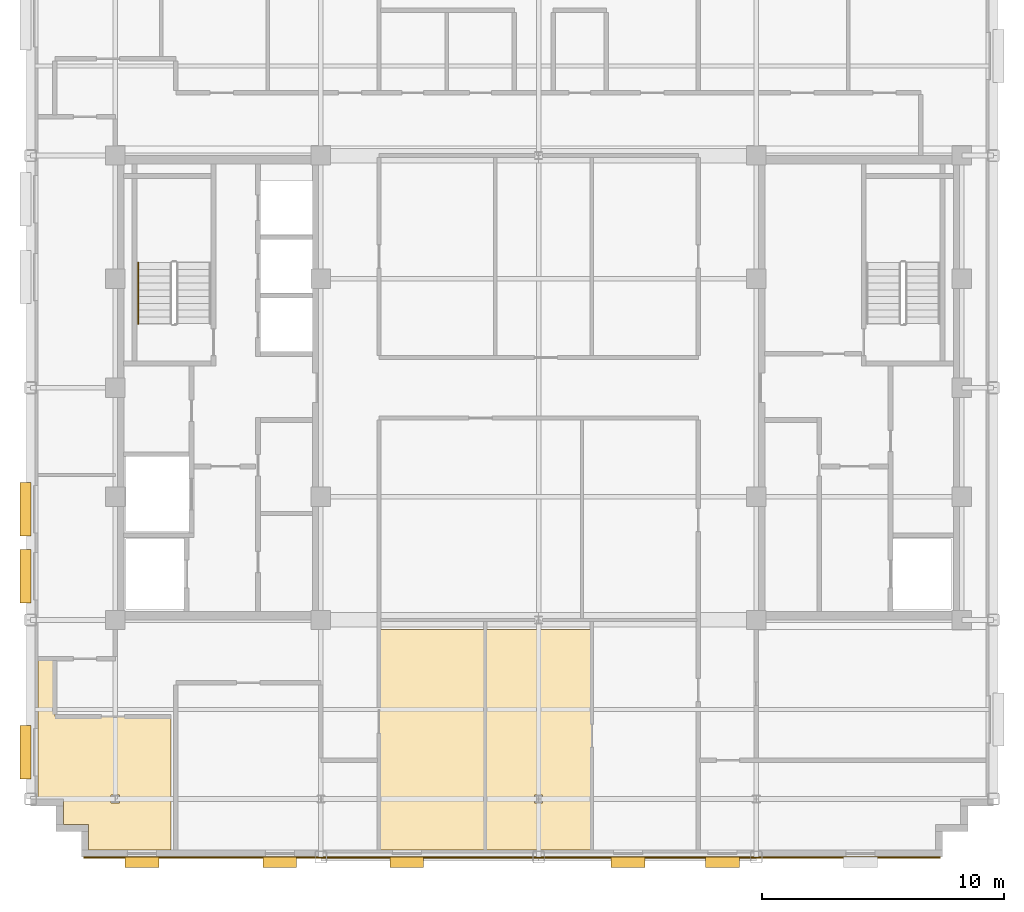
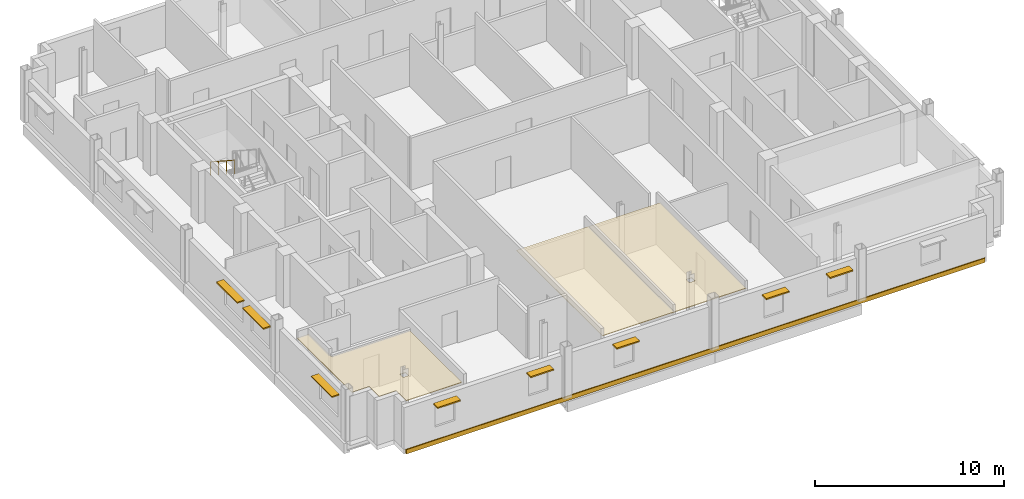
# One storey, part 10 of 14: 8 shading devices, 4 coverings, 1 railing.
"""IFC4 building model written with IfcOpenShell, lengths in metres."""

import ifcopenshell
import ifcopenshell.guid

model = None  # the IFC model being written
_history = None  # IfcOwnerHistory: only IFC2X3 demands one
_inside = {}  # id of a spatial element -> (the spatial element, [elements in it])
_under = {}  # id of a project, library or spatial element -> (it, [spatial elements below it])
_declared = {}  # id of a project -> (the project, [libraries it declares])
_typed = {}  # id of a type object -> (the type object, [elements of that type])
_made_of = {}  # id of a material, layer set ... -> (it, [elements and type objects made of it])


def new_model(schema):
    """Start an empty IFC model of exactly this schema.

    Asked for "IFC4X3", IfcOpenShell would pick the latest addendum, in which some entities
    have other attributes; the version numbers below select the first issue.
    IFC2X3 requires an IfcOwnerHistory on every rooted entity: one is made here for all.
    """
    global model, _history
    if schema == "IFC4X3":
        model = ifcopenshell.file(schema_version=(4, 3, 0, 0))
    else:
        model = ifcopenshell.file(schema=schema)
    _inside.clear()
    _under.clear()
    _declared.clear()
    _typed.clear()
    _made_of.clear()
    _history = None
    if model.schema == "IFC2X3":
        org = make("IfcOrganization", Name="unknown")
        user = make(
            "IfcPersonAndOrganization",
            ThePerson=make("IfcPerson", FamilyName="unknown"),
            TheOrganization=org,
        )
        app = make(
            "IfcApplication",
            ApplicationDeveloper=org,
            Version="unknown",
            ApplicationFullName="unknown",
            ApplicationIdentifier="unknown",
        )
        _history = make(
            "IfcOwnerHistory",
            OwningUser=user,
            OwningApplication=app,
            ChangeAction="ADDED",
            CreationDate=0,
        )
    return model


def make(cls, **values):
    """One entity of the class cls with the attributes given. An attribute that is None is left unset."""
    return model.create_entity(
        cls, **{name: value for name, value in values.items() if value is not None}
    )


def rooted(cls, **values):
    """An entity with a GlobalId (a new one), such as an element, a storey or a relation."""
    return make(cls, GlobalId=ifcopenshell.guid.new(), OwnerHistory=_history, **values)


def si_unit(unit_type, name, prefix=None):
    """IfcSIUnit, for example si_unit("LENGTHUNIT", "METRE", prefix="MILLI")."""
    return make("IfcSIUnit", UnitType=unit_type, Prefix=prefix, Name=name)


def assignment(units):
    """IfcUnitAssignment: the units of a project."""
    return None if units is None else make("IfcUnitAssignment", Units=units)


def point(xyz):
    """IfcCartesianPoint."""
    return None if xyz is None else make("IfcCartesianPoint", Coordinates=xyz)


def direction(xyz):
    """IfcDirection."""
    return None if xyz is None else make("IfcDirection", DirectionRatios=xyz)


def frame(location, z_axis=None, x_axis=None):
    """IfcAxis2Placement3D, a coordinate frame: its origin and axes. An axis left out is left unset."""
    return make(
        "IfcAxis2Placement3D",
        Location=point(location),
        Axis=direction(z_axis),
        RefDirection=direction(x_axis),
    )


def frame_2d(location, x_axis=None):
    """IfcAxis2Placement2D, a coordinate frame in the plane: its origin and x axis."""
    return make(
        "IfcAxis2Placement2D", Location=point(location), RefDirection=direction(x_axis)
    )


def origin():
    """The frame at (0, 0, 0) with its axes left unset."""
    return frame((0.0, 0.0, 0.0))


def origin_2d():
    """The frame at (0, 0) in the plane with its x axis left unset."""
    return frame_2d((0.0, 0.0))


def place(relative_to, where):
    """IfcLocalPlacement: puts the frame where relative to a parent placement (None: the world)."""
    return make(
        "IfcLocalPlacement", PlacementRelTo=relative_to, RelativePlacement=where
    )


def context(
    kind, dimensions, precision=None, world=None, true_north=None, identifier=None
):
    """IfcGeometricRepresentationContext, for example the 3D "Model" context."""
    return make(
        "IfcGeometricRepresentationContext",
        ContextIdentifier=identifier,
        ContextType=kind,
        CoordinateSpaceDimension=dimensions,
        Precision=precision,
        WorldCoordinateSystem=world,
        TrueNorth=true_north,
    )


def subcontext(parent, identifier, kind, view, scale=None):
    """IfcGeometricRepresentationSubContext, for example "Body" below "Model"."""
    return make(
        "IfcGeometricRepresentationSubContext",
        ContextIdentifier=identifier,
        ContextType=kind,
        ParentContext=parent,
        TargetScale=scale,
        TargetView=view,
    )


def project(units=None, contexts=None):
    """IfcProject with its units and contexts."""
    return rooted(
        "IfcProject",
        Name="project",
        RepresentationContexts=contexts,
        UnitsInContext=assignment(units),
    )


def spatial(cls, under=None, at=None, **own):
    """A site, building, storey or space (cls), placed at a placement, below another one or the project."""
    s = rooted(cls, ObjectPlacement=at, **own)
    if under is not None:
        _under.setdefault(under.id(), (under, []))[1].append(s)
    return s


def polyline(points):
    """IfcPolyline through the points."""
    return make("IfcPolyline", Points=[point(p) for p in points])


def profile(cls, at=None, kind="AREA", **sizes):
    """A parametric profile (cls). Its sizes go by their IFC names, for example OverallWidth=200.0."""
    return make(cls, ProfileType=kind, Position=at, **sizes)


def rectangle(**sizes):
    """IfcRectangleProfileDef."""
    return profile("IfcRectangleProfileDef", **sizes)


def circle(**sizes):
    """IfcCircleProfileDef."""
    return profile("IfcCircleProfileDef", **sizes)


def outline(outer, holes=None, kind="AREA"):
    """IfcArbitraryClosedProfileDef: a profile drawn as a closed curve; with holes, ...WithVoids."""
    if holes is None:
        return make("IfcArbitraryClosedProfileDef", ProfileType=kind, OuterCurve=outer)
    return make(
        "IfcArbitraryProfileDefWithVoids",
        ProfileType=kind,
        OuterCurve=outer,
        InnerCurves=holes,
    )


def extrude(swept, where, along, depth):
    """IfcExtrudedAreaSolid: the profile swept, set in the frame where, extruded along a direction by depth."""
    return make(
        "IfcExtrudedAreaSolid",
        SweptArea=swept,
        Position=where,
        ExtrudedDirection=direction(along),
        Depth=depth,
    )


def shape(context_of_items, identifier, shape_type, items):
    """IfcShapeRepresentation: the items that make up one representation, for example the "Body"."""
    return make(
        "IfcShapeRepresentation",
        ContextOfItems=context_of_items,
        RepresentationIdentifier=identifier,
        RepresentationType=shape_type,
        Items=items,
    )


def source(mapping_origin, context_of_items, identifier, shape_type, items):
    """IfcRepresentationMap: a shape defined once, which mapped items show again and again."""
    return make(
        "IfcRepresentationMap",
        MappingOrigin=mapping_origin,
        MappedRepresentation=shape(context_of_items, identifier, shape_type, items),
    )


def transform(
    local_origin,
    x_axis=None,
    y_axis=None,
    z_axis=None,
    scale=None,
    scale2=None,
    scale3=None,
    uniform=True,
):
    """IfcCartesianTransformationOperator3D, or its non-uniform kind. x_axis, y_axis, z_axis: its Axis1, 2, 3."""
    if uniform:
        return make(
            "IfcCartesianTransformationOperator3D",
            Axis1=direction(x_axis),
            Axis2=direction(y_axis),
            LocalOrigin=point(local_origin),
            Scale=scale,
            Axis3=direction(z_axis),
        )
    return make(
        "IfcCartesianTransformationOperator3DnonUniform",
        Axis1=direction(x_axis),
        Axis2=direction(y_axis),
        LocalOrigin=point(local_origin),
        Scale=scale,
        Axis3=direction(z_axis),
        Scale2=scale2,
        Scale3=scale3,
    )


def mapped(mapping_source, mapping_target):
    """IfcMappedItem: shows the shape of a source again, moved by a transform."""
    return make(
        "IfcMappedItem", MappingSource=mapping_source, MappingTarget=mapping_target
    )


def material(Name=None, Category=None):
    """IfcMaterial."""
    return make("IfcMaterial", Name=Name, Category=Category)


def layer(
    of_material, thickness, ventilated=None, Name=None, Category=None, Priority=None
):
    """IfcMaterialLayer: one layer of a wall or slab, of a material (None: an air gap)."""
    return make(
        "IfcMaterialLayer",
        Material=of_material,
        LayerThickness=thickness,
        IsVentilated=ventilated,
        Name=Name,
        Category=Category,
        Priority=Priority,
    )


def layer_set(layers, Name=None):
    """IfcMaterialLayerSet."""
    return make("IfcMaterialLayerSet", MaterialLayers=layers, LayerSetName=Name)


def made_of(thing, what):
    """Note that an element or type object is made of a material, layer set ...; save() writes the relation."""
    if what is not None:
        _made_of.setdefault(what.id(), (what, []))[1].append(thing)
    return thing


def type_object(cls, material=None, **own):
    """A type object (cls), such as IfcWallType, which elements share."""
    return made_of(rooted(cls, **own), material)


def type_shapes(of_type, sources):
    """Give a type object the sources (RepresentationMaps) that its elements show as mapped items."""
    of_type.RepresentationMaps = sources


def element(
    cls,
    number,
    at=None,
    inside=None,
    cuts=None,
    type_object=None,
    material=None,
    context=None,
    identifier="Body",
    shape_type=None,
    held_by="IfcProductDefinitionShape",
    body=None,
    shapes=None,
    **own,
):
    """One element of the class cls, such as IfcWall. Its Tag is "e" and its number.

    at: its placement. inside: the storey or other place that contains it. cuts: it is an
    opening in that element (IfcRelVoidsElement). A single representation is given by context,
    identifier, shape_type and body (its items); several are given by shapes. held_by: the class
    of the entity that holds the representations. save() writes the other relations.
    """
    e = rooted(cls, Tag="e%d" % number, ObjectPlacement=at, **own)
    if body is not None:
        shapes = [shape(context, identifier, shape_type, body)]
    if shapes is not None:
        e.Representation = make(held_by, Representations=shapes)
    if inside is not None:
        _inside.setdefault(inside.id(), (inside, []))[1].append(e)
    if cuts is not None:
        rooted(
            "IfcRelVoidsElement", RelatingBuildingElement=cuts, RelatedOpeningElement=e
        )
    if type_object is not None:
        _typed.setdefault(type_object.id(), (type_object, []))[1].append(e)
    return made_of(e, material)


def aggregate(whole, parts):
    """IfcRelAggregates: a whole, such as a stair, and the parts it consists of."""
    return rooted("IfcRelAggregates", RelatingObject=whole, RelatedObjects=parts)


def save(model, path):
    """Write the relations noted so far, then the file.

    IfcRelAggregates (storeys below a building ...), IfcRelContainedInSpatialStructure (elements
    in a storey), IfcRelDefinesByType, IfcRelAssociatesMaterial and IfcRelDeclares: one each for
    every whole, place, type object, material and project.
    """
    for whole, parts in _under.values():
        aggregate(whole, parts)
    for where, things in _inside.values():
        rooted(
            "IfcRelContainedInSpatialStructure",
            RelatedElements=things,
            RelatingStructure=where,
        )
    for kind, things in _typed.values():
        rooted("IfcRelDefinesByType", RelatedObjects=things, RelatingType=kind)
    for what, things in _made_of.values():
        rooted("IfcRelAssociatesMaterial", RelatedObjects=things, RelatingMaterial=what)
    for by, libraries in _declared.values():
        rooted("IfcRelDeclares", RelatingContext=by, RelatedDefinitions=libraries)
    model.write(path)


model = new_model("IFC4")

# Units and contexts
model_context = context("Model", 3, precision=1e-05, world=origin(), true_north=direction((0.0, 1.0)))
body_context = subcontext(model_context, "Body", "Model", "MODEL_VIEW")
ifc_project = project(units=[si_unit("LENGTHUNIT", "METRE"), si_unit("AREAUNIT", "SQUARE_METRE"), si_unit("VOLUMEUNIT", "CUBIC_METRE"), si_unit("PLANEANGLEUNIT", "RADIAN"), si_unit("MASSUNIT", "GRAM", prefix="KILO")], contexts=[model_context])

# Site, building, storey
site_placement = place(None, origin())
site = spatial("IfcSite", under=ifc_project, at=site_placement, CompositionType="ELEMENT")
building_placement = place(site_placement, origin())
building = spatial("IfcBuilding", under=site, at=building_placement, Name="Nuvemarco Arch Tower", CompositionType="ELEMENT")
storey_placement = place(building_placement, frame((0.0, 0.0, 272.550048828125)))
storey = spatial("IfcBuildingStorey", under=building, at=storey_placement, Name="L72", CompositionType="ELEMENT", Elevation=272.550048828125)

# Coverings
ifc_material_1 = material(Name="Mineral acoustic ceiling tile")
ifc_layer_1 = layer(ifc_material_1, 0.0400390625, Name="COV-ACOUSTIC-CLG")
ifc_layer_set_1 = layer_set([ifc_layer_1], Name="Mineral acoustic ceiling tile")
covering_type_1 = type_object("IfcCoveringType", Name="COV-ACOUSTIC-CLG", PredefinedType="CEILING", material=ifc_layer_set_1)
covering_1_placement = place(storey_placement, frame((0.0, 0.0, 2.849853515625)))
element("IfcCovering", 1, at=covering_1_placement, inside=storey, type_object=covering_type_1, Name="L72 suspended acoustic ceiling 5", PredefinedType="CEILING", context=body_context, shape_type="SweptSolid", body=[
    extrude(outline(polyline([(-6.60009765625, -10.0), (-2.199951171875, -10.0), (-2.199951171875, -19.10009765625), (-6.60009765625, -19.10009765625), (-6.60009765625, -15.39990234375), (-6.60009765625, -12.199951171875), (-6.60009765625, -10.0)])), origin(), (0.0, 0.0, 1.0), 0.0400390625),
])
covering_2_placement = place(storey_placement, frame((0.0, 0.0, 2.849853515625)))
element("IfcCovering", 2, at=covering_2_placement, inside=storey, type_object=covering_type_1, Name="L72 suspended acoustic ceiling 6", PredefinedType="CEILING", context=body_context, shape_type="SweptSolid", body=[
    extrude(outline(polyline([(2.199951171875, -19.10009765625), (-2.199951171875, -19.10009765625), (-2.199951171875, -10.0), (2.199951171875, -10.0), (2.199951171875, -19.10009765625)]), holes=[polyline([(0.169921875, -17.169921875), (0.169921875, -16.830078125), (-0.169921875, -16.830078125), (-0.169921875, -17.169921875), (0.169921875, -17.169921875)])]), origin(), (0.0, 0.0, 1.0), 0.0400390625),
])
covering_3_placement = place(storey_placement, frame((0.0, 0.0, 2.849853515625)))
element("IfcCovering", 3, at=covering_3_placement, inside=storey, type_object=covering_type_1, Name="L72 suspended acoustic ceiling 9", PredefinedType="CEILING", context=body_context, shape_type="SweptSolid", body=[
    extrude(outline(polyline([(-20.699951171875, -17.0), (-20.699951171875, -11.199951171875), (-20.0, -11.199951171875), (-20.0, -13.60009765625), (-15.199951171875, -13.60009765625), (-15.199951171875, -19.10009765625), (-18.60009765625, -19.10009765625), (-18.60009765625, -18.050048828125), (-19.64990234375, -18.050048828125), (-19.64990234375, -17.0), (-20.699951171875, -17.0)]), holes=[polyline([(-17.330078125, -16.830078125), (-17.669921875, -16.830078125), (-17.669921875, -17.169921875), (-17.330078125, -17.169921875), (-17.330078125, -16.830078125)])]), origin(), (0.0, 0.0, 1.0), 0.0400390625),
])

# Railing
ifc_material_2 = material(Name="Brushed stainless steel handrail", Category="steel")
railing_type = type_object("IfcRailingType", Name="RL-HANDRAIL-900", PredefinedType="HANDRAIL", material=ifc_material_2)
railing_placement = place(storey_placement, frame((-16.550048828125, 5.169921875, 2.007568359375)))
element("IfcRailing", 4, at=railing_placement, inside=storey, type_object=railing_type, Name="L72 ST-1 stair handrail 2", PredefinedType="HANDRAIL", context=body_context, shape_type="SweptSolid", body=[
    extrude(circle(Radius=0.02392578125, at=origin_2d()), frame((0.0, 0.0, 0.8759765625), z_axis=(0.0, -0.837786554691, 0.545997883492), x_axis=(1.0, 0.0, 0.0)), (0.0, 0.0, 1.0), 3.008056640625),
    extrude(circle(Radius=0.02099609375, at=origin_2d()), origin(), (0.0, 0.0, 1.0), 0.851806640625),
    extrude(circle(Radius=0.02099609375, at=origin_2d()), frame((0.0, -0.840087890625, 0.54736328125)), (0.0, 0.0, 1.0), 0.851806640625),
    extrude(circle(Radius=0.02099609375, at=origin_2d()), frame((0.0, -1.679931640625, 1.094970703125)), (0.0, 0.0, 1.0), 0.851806640625),
    extrude(circle(Radius=0.02099609375, at=origin_2d()), frame((0.0, -2.52001953125, 1.642333984375)), (0.0, 0.0, 1.0), 0.851806640625),
])

# Shading devices
ifc_material_3 = material(Name="Anodised aluminium 6063-T6", Category="aluminium")
shading_device_type_1 = type_object("IfcShadingDeviceType", Name="SHD-BRISE-SOLEIL", PredefinedType="USERDEFINED", material=ifc_material_3)
shared_shape_1 = source(origin(), body_context, "Body", "SweptSolid", [
    extrude(rectangle(XDim=2.199951171875, YDim=0.449951171875, at=origin_2d()), origin(), (0.0, 0.0, 1.0), 0.080078125),
])
type_shapes(shading_device_type_1, [shared_shape_1])
for number, where, z_axis, x_axis, name in (
    (5, (-21.215087890625, -15.067626953125, 2.284912109375), (0.0, 0.0, 1.0), (0.0, 1.0, 0.0), "L72 horizontal brise-soleil sunshade"),
    (6, (-21.215087890625, -7.795166015625, 2.284912109375), (0.0, 0.0, 1.0), (0.0, 1.0, 0.0), "L72 horizontal brise-soleil sunshade"),
    (7, (-21.215087890625, -5.022705078125, 2.284912109375), (0.0, 0.0, 1.0), (0.0, 1.0, 0.0), "L72 horizontal brise-soleil sunshade"),
):
    element("IfcShadingDevice", number, at=place(storey_placement, frame(where, z_axis=z_axis, x_axis=x_axis)), inside=storey, type_object=shading_device_type_1, Name=name, ObjectType="SUNSHADE", PredefinedType="USERDEFINED", context=body_context, shape_type="MappedRepresentation", body=[
        mapped(shared_shape_1, transform((0.0, 0.0, 0.0), scale=1.0)),
    ])
shading_device_type_2 = type_object("IfcShadingDeviceType", Name="SHD-BRISE-NARROW", PredefinedType="USERDEFINED", material=ifc_material_3)
shared_shape_2 = source(origin(), body_context, "Body", "SweptSolid", [
    extrude(rectangle(XDim=1.39990234375, YDim=0.449951171875, at=origin_2d()), origin(), (0.0, 0.0, 1.0), 0.080078125),
])
type_shapes(shading_device_type_2, [shared_shape_2])
for number, where, z_axis, x_axis, name in (
    (8, (-16.39990234375, -19.614990234375, 2.284912109375), (0.0, 0.0, 1.0), (1.0, 0.0, 0.0), "L72 horizontal brise-soleil sunshade"),
    (9, (-10.699951171875, -19.614990234375, 2.284912109375), (0.0, 0.0, 1.0), (1.0, 0.0, 0.0), "L72 horizontal brise-soleil sunshade"),
    (10, (-5.449951171875, -19.614990234375, 2.284912109375), (0.0, 0.0, 1.0), (1.0, 0.0, 0.0), "L72 horizontal brise-soleil sunshade"),
    (11, (3.699951171875, -19.614990234375, 2.284912109375), (0.0, 0.0, 1.0), (1.0, 0.0, 0.0), "L72 horizontal brise-soleil sunshade"),
    (12, (7.60009765625, -19.614990234375, 2.284912109375), (0.0, 0.0, 1.0), (1.0, 0.0, 0.0), "L72 horizontal brise-soleil sunshade"),
):
    element("IfcShadingDevice", number, at=place(storey_placement, frame(where, z_axis=z_axis, x_axis=x_axis)), inside=storey, type_object=shading_device_type_2, Name=name, ObjectType="SUNSHADE", PredefinedType="USERDEFINED", context=body_context, shape_type="MappedRepresentation", body=[
        mapped(shared_shape_2, transform((0.0, 0.0, 0.0), scale=1.0)),
    ])

# Covering
ifc_material_4 = material(Name="Precast concrete C45/55", Category="concrete")
ifc_layer_2 = layer(ifc_material_4, 0.06005859375, Name="COV-SPANDREL-CLAD")
ifc_layer_set_2 = layer_set([ifc_layer_2], Name="Precast concrete C45/55")
covering_type_2 = type_object("IfcCoveringType", Name="COV-SPANDREL-CLAD", PredefinedType="CLADDING", material=ifc_layer_set_2)
shared_shape_3 = source(origin(), body_context, "Body", "SweptSolid", [
    extrude(rectangle(XDim=35.39990234375, YDim=0.06005859375, at=origin_2d()), origin(), (0.0, 0.0, 1.0), 0.280029296875),
])
type_shapes(covering_type_2, [shared_shape_3])
covering_4_placement = place(storey_placement, frame((-1.10009765625, -19.428955078125, -0.2802734375), z_axis=(0.0, 0.0, 1.0), x_axis=(1.0, 0.0, 0.0)))
element("IfcCovering", 13, at=covering_4_placement, inside=storey, type_object=covering_type_2, Name="L72 precast spandrel edge cladding south", PredefinedType="CLADDING", context=body_context, shape_type="MappedRepresentation", body=[
    mapped(shared_shape_3, transform((0.0, 0.0, 0.0), scale=1.0)),
])

save(model, "model.ifc")
